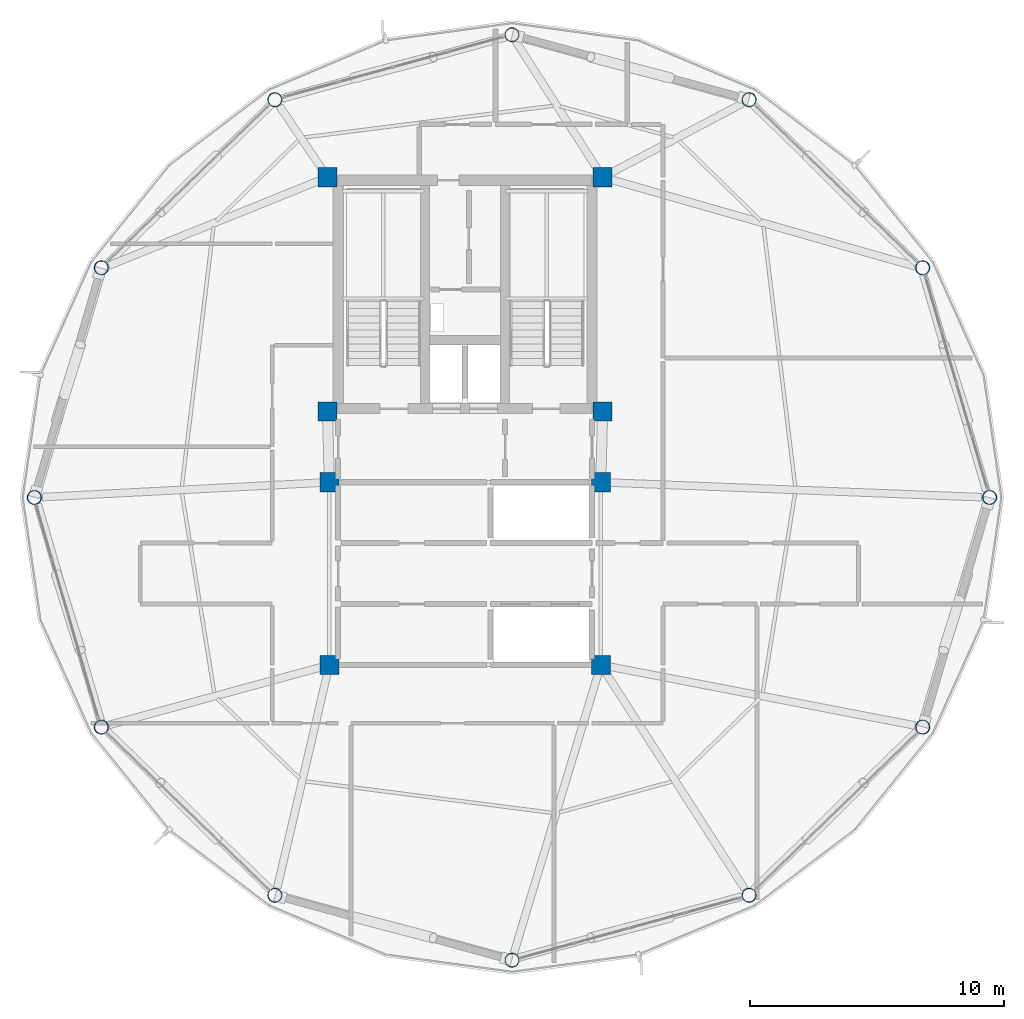
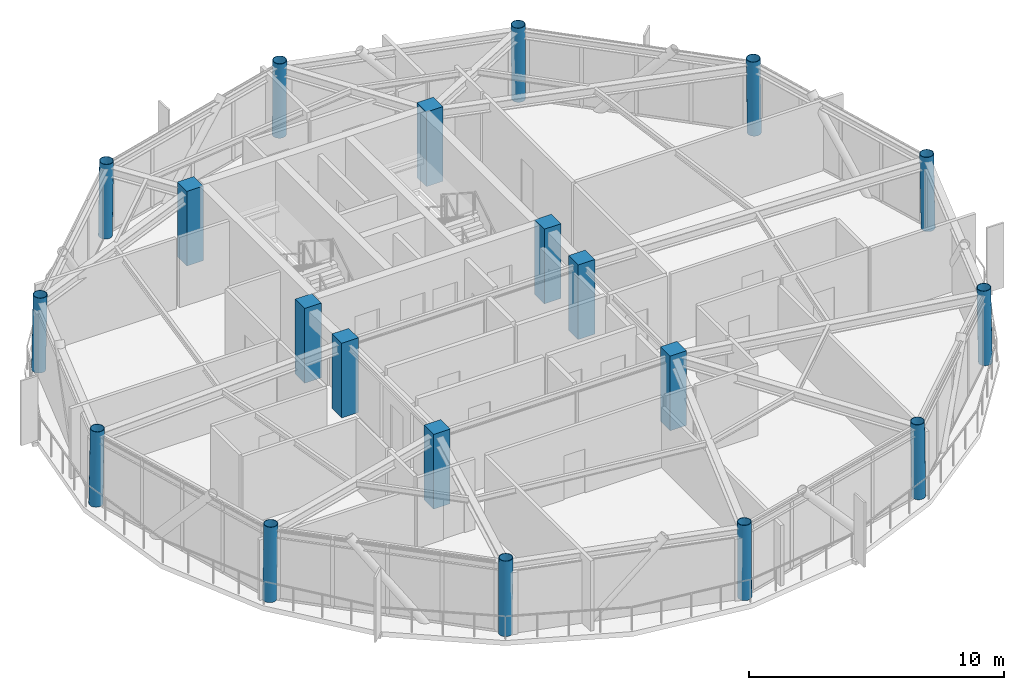
# One storey, part 1 of 27: 20 columns.
"""IFC4 building model written with IfcOpenShell, lengths in metres."""

import ifcopenshell
import ifcopenshell.guid

model = None  # the IFC model being written
_history = None  # IfcOwnerHistory: only IFC2X3 demands one
_inside = {}  # id of a spatial element -> (the spatial element, [elements in it])
_under = {}  # id of a project, library or spatial element -> (it, [spatial elements below it])
_declared = {}  # id of a project -> (the project, [libraries it declares])
_typed = {}  # id of a type object -> (the type object, [elements of that type])
_made_of = {}  # id of a material, layer set ... -> (it, [elements and type objects made of it])


def new_model(schema):
    """Start an empty IFC model of exactly this schema.

    Asked for "IFC4X3", IfcOpenShell would pick the latest addendum, in which some entities
    have other attributes; the version numbers below select the first issue.
    IFC2X3 requires an IfcOwnerHistory on every rooted entity: one is made here for all.
    """
    global model, _history
    if schema == "IFC4X3":
        model = ifcopenshell.file(schema_version=(4, 3, 0, 0))
    else:
        model = ifcopenshell.file(schema=schema)
    _inside.clear()
    _under.clear()
    _declared.clear()
    _typed.clear()
    _made_of.clear()
    _history = None
    if model.schema == "IFC2X3":
        org = make("IfcOrganization", Name="unknown")
        user = make(
            "IfcPersonAndOrganization",
            ThePerson=make("IfcPerson", FamilyName="unknown"),
            TheOrganization=org,
        )
        app = make(
            "IfcApplication",
            ApplicationDeveloper=org,
            Version="unknown",
            ApplicationFullName="unknown",
            ApplicationIdentifier="unknown",
        )
        _history = make(
            "IfcOwnerHistory",
            OwningUser=user,
            OwningApplication=app,
            ChangeAction="ADDED",
            CreationDate=0,
        )
    return model


def make(cls, **values):
    """One entity of the class cls with the attributes given. An attribute that is None is left unset."""
    return model.create_entity(
        cls, **{name: value for name, value in values.items() if value is not None}
    )


def rooted(cls, **values):
    """An entity with a GlobalId (a new one), such as an element, a storey or a relation."""
    return make(cls, GlobalId=ifcopenshell.guid.new(), OwnerHistory=_history, **values)


def si_unit(unit_type, name, prefix=None):
    """IfcSIUnit, for example si_unit("LENGTHUNIT", "METRE", prefix="MILLI")."""
    return make("IfcSIUnit", UnitType=unit_type, Prefix=prefix, Name=name)


def assignment(units):
    """IfcUnitAssignment: the units of a project."""
    return None if units is None else make("IfcUnitAssignment", Units=units)


def point(xyz):
    """IfcCartesianPoint."""
    return None if xyz is None else make("IfcCartesianPoint", Coordinates=xyz)


def direction(xyz):
    """IfcDirection."""
    return None if xyz is None else make("IfcDirection", DirectionRatios=xyz)


def frame(location, z_axis=None, x_axis=None):
    """IfcAxis2Placement3D, a coordinate frame: its origin and axes. An axis left out is left unset."""
    return make(
        "IfcAxis2Placement3D",
        Location=point(location),
        Axis=direction(z_axis),
        RefDirection=direction(x_axis),
    )


def frame_2d(location, x_axis=None):
    """IfcAxis2Placement2D, a coordinate frame in the plane: its origin and x axis."""
    return make(
        "IfcAxis2Placement2D", Location=point(location), RefDirection=direction(x_axis)
    )


def origin():
    """The frame at (0, 0, 0) with its axes left unset."""
    return frame((0.0, 0.0, 0.0))


def origin_2d():
    """The frame at (0, 0) in the plane with its x axis left unset."""
    return frame_2d((0.0, 0.0))


def place(relative_to, where):
    """IfcLocalPlacement: puts the frame where relative to a parent placement (None: the world)."""
    return make(
        "IfcLocalPlacement", PlacementRelTo=relative_to, RelativePlacement=where
    )


def context(
    kind, dimensions, precision=None, world=None, true_north=None, identifier=None
):
    """IfcGeometricRepresentationContext, for example the 3D "Model" context."""
    return make(
        "IfcGeometricRepresentationContext",
        ContextIdentifier=identifier,
        ContextType=kind,
        CoordinateSpaceDimension=dimensions,
        Precision=precision,
        WorldCoordinateSystem=world,
        TrueNorth=true_north,
    )


def subcontext(parent, identifier, kind, view, scale=None):
    """IfcGeometricRepresentationSubContext, for example "Body" below "Model"."""
    return make(
        "IfcGeometricRepresentationSubContext",
        ContextIdentifier=identifier,
        ContextType=kind,
        ParentContext=parent,
        TargetScale=scale,
        TargetView=view,
    )


def project(units=None, contexts=None):
    """IfcProject with its units and contexts."""
    return rooted(
        "IfcProject",
        Name="project",
        RepresentationContexts=contexts,
        UnitsInContext=assignment(units),
    )


def spatial(cls, under=None, at=None, **own):
    """A site, building, storey or space (cls), placed at a placement, below another one or the project."""
    s = rooted(cls, ObjectPlacement=at, **own)
    if under is not None:
        _under.setdefault(under.id(), (under, []))[1].append(s)
    return s


def profile(cls, at=None, kind="AREA", **sizes):
    """A parametric profile (cls). Its sizes go by their IFC names, for example OverallWidth=200.0."""
    return make(cls, ProfileType=kind, Position=at, **sizes)


def rectangle(**sizes):
    """IfcRectangleProfileDef."""
    return profile("IfcRectangleProfileDef", **sizes)


def hollow_circle(**sizes):
    """IfcCircleHollowProfileDef."""
    return profile("IfcCircleHollowProfileDef", **sizes)


def extrude(swept, where, along, depth):
    """IfcExtrudedAreaSolid: the profile swept, set in the frame where, extruded along a direction by depth."""
    return make(
        "IfcExtrudedAreaSolid",
        SweptArea=swept,
        Position=where,
        ExtrudedDirection=direction(along),
        Depth=depth,
    )


def shape(context_of_items, identifier, shape_type, items):
    """IfcShapeRepresentation: the items that make up one representation, for example the "Body"."""
    return make(
        "IfcShapeRepresentation",
        ContextOfItems=context_of_items,
        RepresentationIdentifier=identifier,
        RepresentationType=shape_type,
        Items=items,
    )


def material(Name=None, Category=None):
    """IfcMaterial."""
    return make("IfcMaterial", Name=Name, Category=Category)


def material_profile(
    of_material, cross_section, Name=None, Category=None, Priority=None
):
    """IfcMaterialProfile: a cross section and its material."""
    return make(
        "IfcMaterialProfile",
        Name=Name,
        Material=of_material,
        Profile=cross_section,
        Priority=Priority,
        Category=Category,
    )


def profile_set(profiles, Name=None, composite=None):
    """IfcMaterialProfileSet."""
    return make(
        "IfcMaterialProfileSet",
        Name=Name,
        MaterialProfiles=profiles,
        CompositeProfile=composite,
    )


def made_of(thing, what):
    """Note that an element or type object is made of a material, layer set ...; save() writes the relation."""
    if what is not None:
        _made_of.setdefault(what.id(), (what, []))[1].append(thing)
    return thing


def type_object(cls, material=None, **own):
    """A type object (cls), such as IfcWallType, which elements share."""
    return made_of(rooted(cls, **own), material)


def element(
    cls,
    number,
    at=None,
    inside=None,
    cuts=None,
    type_object=None,
    material=None,
    context=None,
    identifier="Body",
    shape_type=None,
    held_by="IfcProductDefinitionShape",
    body=None,
    shapes=None,
    **own,
):
    """One element of the class cls, such as IfcWall. Its Tag is "e" and its number.

    at: its placement. inside: the storey or other place that contains it. cuts: it is an
    opening in that element (IfcRelVoidsElement). A single representation is given by context,
    identifier, shape_type and body (its items); several are given by shapes. held_by: the class
    of the entity that holds the representations. save() writes the other relations.
    """
    e = rooted(cls, Tag="e%d" % number, ObjectPlacement=at, **own)
    if body is not None:
        shapes = [shape(context, identifier, shape_type, body)]
    if shapes is not None:
        e.Representation = make(held_by, Representations=shapes)
    if inside is not None:
        _inside.setdefault(inside.id(), (inside, []))[1].append(e)
    if cuts is not None:
        rooted(
            "IfcRelVoidsElement", RelatingBuildingElement=cuts, RelatedOpeningElement=e
        )
    if type_object is not None:
        _typed.setdefault(type_object.id(), (type_object, []))[1].append(e)
    return made_of(e, material)


def aggregate(whole, parts):
    """IfcRelAggregates: a whole, such as a stair, and the parts it consists of."""
    return rooted("IfcRelAggregates", RelatingObject=whole, RelatedObjects=parts)


def save(model, path):
    """Write the relations noted so far, then the file.

    IfcRelAggregates (storeys below a building ...), IfcRelContainedInSpatialStructure (elements
    in a storey), IfcRelDefinesByType, IfcRelAssociatesMaterial and IfcRelDeclares: one each for
    every whole, place, type object, material and project.
    """
    for whole, parts in _under.values():
        aggregate(whole, parts)
    for where, things in _inside.values():
        rooted(
            "IfcRelContainedInSpatialStructure",
            RelatedElements=things,
            RelatingStructure=where,
        )
    for kind, things in _typed.values():
        rooted("IfcRelDefinesByType", RelatedObjects=things, RelatingType=kind)
    for what, things in _made_of.values():
        rooted("IfcRelAssociatesMaterial", RelatedObjects=things, RelatingMaterial=what)
    for by, libraries in _declared.values():
        rooted("IfcRelDeclares", RelatingContext=by, RelatedDefinitions=libraries)
    model.write(path)


model = new_model("IFC4")

# Units and contexts
model_context = context("Model", 3, precision=1e-05, world=origin(), true_north=direction((0.0, 1.0)))
body_context = subcontext(model_context, "Body", "Model", "MODEL_VIEW")
ifc_project = project(units=[si_unit("LENGTHUNIT", "METRE"), si_unit("AREAUNIT", "SQUARE_METRE"), si_unit("VOLUMEUNIT", "CUBIC_METRE"), si_unit("PLANEANGLEUNIT", "RADIAN"), si_unit("MASSUNIT", "GRAM", prefix="KILO")], contexts=[model_context])

# Site, building, storey
site_placement = place(None, origin())
site = spatial("IfcSite", under=ifc_project, at=site_placement, CompositionType="ELEMENT")
building_placement = place(site_placement, origin())
building = spatial("IfcBuilding", under=site, at=building_placement, Name="Varnakorn Sky Granary", CompositionType="ELEMENT")
storey_placement = place(building_placement, frame((0.0, 0.0, 229.199951171875)))
storey = spatial("IfcBuildingStorey", under=building, at=storey_placement, Name="L58", CompositionType="ELEMENT", Elevation=229.199951171875)

# Columns
ifc_material_1 = material(Name="Steel S460M", Category="steel")
ifc_material_profile_1 = material_profile(ifc_material_1, hollow_circle(Radius=0.279541015625, WallThickness=0.02001953125, at=origin_2d()), Name="CHS 559x20")
ifc_profile_set_1 = profile_set([ifc_material_profile_1], Name="Steel S460M")
column_type_1 = type_object("IfcColumnType", Name="COL-DC-Z5", PredefinedType="COLUMN", material=ifc_profile_set_1)
column_1_placement = place(storey_placement, frame((23.68408203125, 0.0, 0.0), z_axis=(-0.019050015053, 0.0, 0.999818531998), x_axis=(0.0, -1.0, 0.0)))
element("IfcColumn", 1, at=column_1_placement, inside=storey, type_object=column_type_1, Name="Drum Perimeter Column DC01 L58", PredefinedType="COLUMN", context=body_context, shape_type="SweptSolid", body=[
    extrude(hollow_circle(Radius=0.279541015625, WallThickness=0.02001953125, at=origin_2d()), origin(), (0.0, 0.0, 1.0), 3.57568359375),
])
column_2_placement = place(storey_placement, frame((21.043701171875, 9.053466796875, 0.0), z_axis=(-0.016455964715, -0.004711458777, 0.999853490958), x_axis=(0.275247949014, -0.961373271193, 0.0)))
element("IfcColumn", 2, at=column_2_placement, inside=storey, type_object=column_type_1, Name="Drum Perimeter Column DC02 L58", PredefinedType="COLUMN", context=body_context, shape_type="SweptSolid", body=[
    extrude(hollow_circle(Radius=0.279541015625, WallThickness=0.02001953125, at=origin_2d()), origin(), (0.0, 0.0, 1.0), 3.575439453125),
])
for number, where, z_axis, x_axis, name in (
    (3, (14.199462890625, 15.68115234375, 0.0), (-0.00949183863, -0.008262679671, 0.999920813427), (0.656581650754, -0.754254954172, 0.0), "Drum Perimeter Column DC03 L58"),
    (4, (4.85009765625, 18.241943359375, 0.0), (0.0, -0.00949216266, 0.999954948409), (1.0, 0.0, 0.0), "Drum Perimeter Column DC04 L58"),
    (5, (-4.49951171875, 15.68115234375, 0.0), (0.00949183863, -0.008262679671, 0.999920813427), (0.656581650754, 0.754254954172, 0.0), "Drum Perimeter Column DC05 L58"),
):
    element("IfcColumn", number, at=place(storey_placement, frame(where, z_axis=z_axis, x_axis=x_axis)), inside=storey, type_object=column_type_1, Name=name, PredefinedType="COLUMN", context=body_context, shape_type="SweptSolid", body=[
        extrude(hollow_circle(Radius=0.279541015625, WallThickness=0.02001953125, at=origin_2d()), origin(), (0.0, 0.0, 1.0), 3.5751953125),
    ])
column_3_placement = place(storey_placement, frame((-11.34375, 9.053466796875, 0.0), z_axis=(0.016455964715, -0.004711458777, 0.999853490958), x_axis=(0.275247949014, 0.961373271193, 0.0)))
element("IfcColumn", 6, at=column_3_placement, inside=storey, type_object=column_type_1, Name="Drum Perimeter Column DC06 L58", PredefinedType="COLUMN", context=body_context, shape_type="SweptSolid", body=[
    extrude(hollow_circle(Radius=0.279541015625, WallThickness=0.02001953125, at=origin_2d()), origin(), (0.0, 0.0, 1.0), 3.575439453125),
])
column_4_placement = place(storey_placement, frame((-13.98388671875, 0.0, 0.0), z_axis=(0.018981760075, 0.0, 0.999819830162), x_axis=(0.0, 1.0, 0.0)))
element("IfcColumn", 7, at=column_4_placement, inside=storey, type_object=column_type_1, Name="Drum Perimeter Column DC07 L58", PredefinedType="COLUMN", context=body_context, shape_type="SweptSolid", body=[
    extrude(hollow_circle(Radius=0.279541015625, WallThickness=0.02001953125, at=origin_2d()), origin(), (0.0, 0.0, 1.0), 3.57568359375),
])
column_5_placement = place(storey_placement, frame((-11.34375, -9.053466796875, 0.0), z_axis=(0.016455964715, 0.004711458777, 0.999853490958), x_axis=(-0.275247949014, 0.961373271193, 0.0)))
element("IfcColumn", 8, at=column_5_placement, inside=storey, type_object=column_type_1, Name="Drum Perimeter Column DC08 L58", PredefinedType="COLUMN", context=body_context, shape_type="SweptSolid", body=[
    extrude(hollow_circle(Radius=0.279541015625, WallThickness=0.02001953125, at=origin_2d()), origin(), (0.0, 0.0, 1.0), 3.575439453125),
])
for number, where, z_axis, x_axis, name in (
    (9, (-4.49951171875, -15.68115234375, 0.0), (0.00949183863, 0.008262679671, 0.999920813427), (-0.656581650754, 0.754254954172, 0.0), "Drum Perimeter Column DC09 L58"),
    (10, (4.85009765625, -18.241943359375, 0.0), (0.0, 0.00949216266, 0.999954948409), (-1.0, 0.0, 0.0), "Drum Perimeter Column DC10 L58"),
    (11, (14.199462890625, -15.68115234375, 0.0), (-0.00949183863, 0.008262679671, 0.999920813427), (-0.656581650754, -0.754254954172, 0.0), "Drum Perimeter Column DC11 L58"),
):
    element("IfcColumn", number, at=place(storey_placement, frame(where, z_axis=z_axis, x_axis=x_axis)), inside=storey, type_object=column_type_1, Name=name, PredefinedType="COLUMN", context=body_context, shape_type="SweptSolid", body=[
        extrude(hollow_circle(Radius=0.279541015625, WallThickness=0.02001953125, at=origin_2d()), origin(), (0.0, 0.0, 1.0), 3.5751953125),
    ])
column_6_placement = place(storey_placement, frame((21.043701171875, -9.053466796875, 0.0), z_axis=(-0.016455964715, 0.004711458777, 0.999853490958), x_axis=(-0.275247949014, -0.961373271193, 0.0)))
element("IfcColumn", 12, at=column_6_placement, inside=storey, type_object=column_type_1, Name="Drum Perimeter Column DC12 L58", PredefinedType="COLUMN", context=body_context, shape_type="SweptSolid", body=[
    extrude(hollow_circle(Radius=0.279541015625, WallThickness=0.02001953125, at=origin_2d()), origin(), (0.0, 0.0, 1.0), 3.575439453125),
])
ifc_material_2 = material(Name="Concrete C50/60", Category="concrete")
ifc_material_profile_2 = material_profile(ifc_material_2, rectangle(XDim=0.75, YDim=0.75, at=origin_2d()), Name="RC 750x750")
ifc_profile_set_2 = profile_set([ifc_material_profile_2], Name="Concrete C50/60")
column_type_2 = type_object("IfcColumnType", Name="COL-MC-Z5", PredefinedType="COLUMN", material=ifc_profile_set_2)
for number, where, z_axis, x_axis, name in (
    (13, (-2.419921875, 12.6201171875, 0.0), (0.0, 0.0, 1.0), (1.0, 0.0, 0.0), "Backbone Mega-Column MC1 L58"),
    (14, (8.419921875, 12.6201171875, 0.0), (0.0, 0.0, 1.0), (1.0, 0.0, 0.0), "Backbone Mega-Column MC2 L58"),
    (15, (-2.419921875, 3.3798828125, 0.0), (0.0, 0.0, 1.0), (1.0, 0.0, 0.0), "Backbone Mega-Column MC3 L58"),
    (16, (8.419921875, 3.3798828125, 0.0), (0.0, 0.0, 1.0), (1.0, 0.0, 0.0), "Backbone Mega-Column MC4 L58"),
    (17, (-2.35009765625, 0.60009765625, 0.0), (0.0, 0.0, 1.0), (1.0, 0.0, 0.0), "Backbone Mega-Column MC5 L58"),
    (18, (8.35009765625, 0.60009765625, 0.0), (0.0, 0.0, 1.0), (1.0, 0.0, 0.0), "Backbone Mega-Column MC6 L58"),
    (19, (-2.35009765625, -6.60009765625, 0.0), (0.0, 0.0, 1.0), (1.0, 0.0, 0.0), "Backbone Mega-Column MC7 L58"),
    (20, (8.35009765625, -6.60009765625, 0.0), (0.0, 0.0, 1.0), (1.0, 0.0, 0.0), "Backbone Mega-Column MC8 L58"),
):
    element("IfcColumn", number, at=place(storey_placement, frame(where, z_axis=z_axis, x_axis=x_axis)), inside=storey, type_object=column_type_2, Name=name, PredefinedType="COLUMN", context=body_context, shape_type="SweptSolid", body=[
        extrude(rectangle(XDim=0.75, YDim=0.75, at=origin_2d()), origin(), (0.0, 0.0, 1.0), 3.574951171875),
    ])

save(model, "model.ifc")
